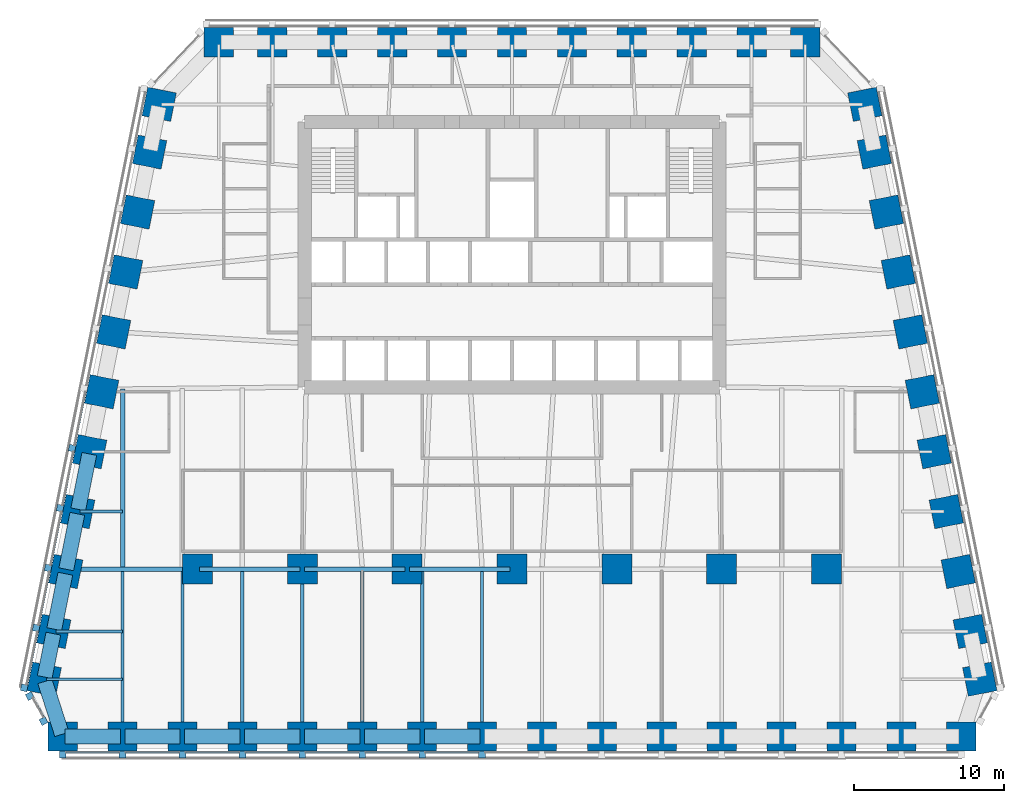
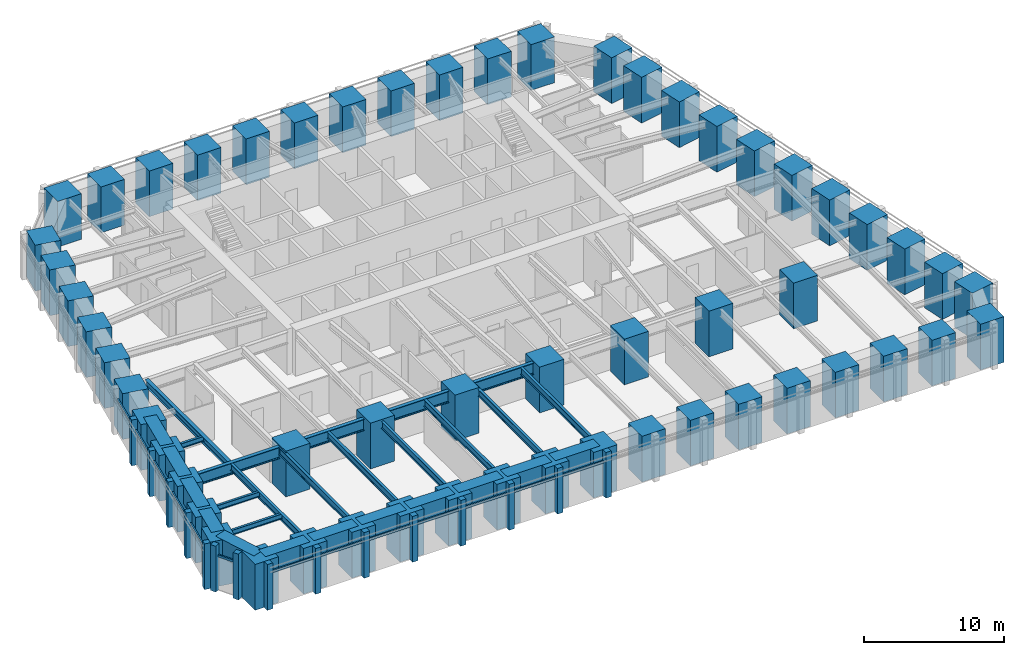
# One storey, part 1 of 10: 56 columns, 28 members, 27 beams, 3 elements without a shape of their own.
"""IFC4 building model written with IfcOpenShell, lengths in metres."""

from ifc_helpers import new_model, si_unit, direction, frame, origin, origin_2d, place, context, subcontext, project, spatial, rectangle, i_section, extrude, material, material_profile, profile_set, type_object, element, aggregate, save


model = new_model("IFC4")

# Units and contexts
model_context = context("Model", 3, precision=1e-05, world=origin(), true_north=direction((0.0, 1.0)))
body_context = subcontext(model_context, "Body", "Model", "MODEL_VIEW")
ifc_project = project(units=[si_unit("LENGTHUNIT", "METRE"), si_unit("AREAUNIT", "SQUARE_METRE"), si_unit("VOLUMEUNIT", "CUBIC_METRE"), si_unit("PLANEANGLEUNIT", "RADIAN"), si_unit("MASSUNIT", "GRAM", prefix="KILO")], contexts=[model_context])

# Site, building, storey
site_placement = place(None, origin())
site = spatial("IfcSite", under=ifc_project, at=site_placement, CompositionType="ELEMENT")
building_placement = place(site_placement, origin())
building = spatial("IfcBuilding", under=site, at=building_placement, Name="Isbrekke Arena Tower", CompositionType="ELEMENT")
storey_placement = place(building_placement, frame((0.0, 0.0, 76.0)))
storey = spatial("IfcBuildingStorey", under=building, at=storey_placement, Name="L16", CompositionType="ELEMENT", Elevation=76.0)

# Columns
ifc_material_1 = material(Name="Concrete B90 (C90/105)", Category="concrete")
ifc_material_profile_1 = material_profile(ifc_material_1, rectangle(XDim=2.0, YDim=2.0, at=origin_2d()), Name="RC 2000x2000")
ifc_profile_set_1 = profile_set([ifc_material_profile_1], Name="Concrete B90 (C90/105)")
column_type_1 = type_object("IfcColumnType", Name="C11 RC 2000 x 2000", PredefinedType="COLUMN", material=ifc_profile_set_1)
for number, where, z_axis, x_axis, name in (
    (1, (-21.0, -6.0, 0.0), (0.0, 0.0, 1.0), (1.0, 0.0, 0.0), "C11 I01"),
    (2, (-14.0, -6.0, 0.0), (0.0, 0.0, 1.0), (1.0, 0.0, 0.0), "C11 I02"),
    (3, (-7.0, -6.0, 0.0), (0.0, 0.0, 1.0), (1.0, 0.0, 0.0), "C11 I03"),
    (4, (0.0, -6.0, 0.0), (0.0, 0.0, 1.0), (1.0, 0.0, 0.0), "C11 I04"),
    (5, (7.0, -6.0, 0.0), (0.0, 0.0, 1.0), (1.0, 0.0, 0.0), "C11 I05"),
    (6, (14.0, -6.0, 0.0), (0.0, 0.0, 1.0), (1.0, 0.0, 0.0), "C11 I06"),
    (7, (21.0, -6.0, 0.0), (0.0, 0.0, 1.0), (1.0, 0.0, 0.0), "C11 I07"),
):
    element("IfcColumn", number, at=place(storey_placement, frame(where, z_axis=z_axis, x_axis=x_axis)), inside=storey, type_object=column_type_1, Name=name, PredefinedType="COLUMN", context=body_context, shape_type="SweptSolid", body=[
        extrude(rectangle(XDim=2.0, YDim=2.0, at=origin_2d()), origin(), (0.0, 0.0, 1.0), 4.0),
    ])
ifc_material_2 = material(Name="Concrete B90 (C90/105)", Category="concrete")
ifc_material_profile_2 = material_profile(ifc_material_2, rectangle(XDim=1.949951171875, YDim=1.949951171875, at=origin_2d()), Name="RC 1950x1950")
ifc_profile_set_2 = profile_set([ifc_material_profile_2], Name="Concrete B90 (C90/105)")
column_type_2 = type_object("IfcColumnType", Name="C2 RC 1950 x 1950", PredefinedType="COLUMN", material=ifc_profile_set_2)
for number, where, z_axis, x_axis, name in (
    (8, (-30.0, -17.175048828125, 0.0), (0.0, 0.0, 1.0), (1.0, 0.0, 0.0), "C2 S01"),
    (9, (-26.0, -17.175048828125, 0.0), (0.0, 0.0, 1.0), (1.0, 0.0, 0.0), "C2 S02"),
    (10, (-22.0, -17.175048828125, 0.0), (0.0, 0.0, 1.0), (1.0, 0.0, 0.0), "C2 S03"),
    (11, (-18.0, -17.175048828125, 0.0), (0.0, 0.0, 1.0), (1.0, 0.0, 0.0), "C2 S04"),
    (12, (-14.0, -17.175048828125, 0.0), (0.0, 0.0, 1.0), (1.0, 0.0, 0.0), "C2 S05"),
    (13, (-10.0, -17.175048828125, 0.0), (0.0, 0.0, 1.0), (1.0, 0.0, 0.0), "C2 S06"),
    (14, (-6.0, -17.175048828125, 0.0), (0.0, 0.0, 1.0), (1.0, 0.0, 0.0), "C2 S07"),
    (15, (-2.0, -17.175048828125, 0.0), (0.0, 0.0, 1.0), (1.0, 0.0, 0.0), "C2 S08"),
    (16, (2.0, -17.175048828125, 0.0), (0.0, 0.0, 1.0), (1.0, 0.0, 0.0), "C2 S09"),
    (17, (6.0, -17.175048828125, 0.0), (0.0, 0.0, 1.0), (1.0, 0.0, 0.0), "C2 S10"),
    (18, (10.0, -17.175048828125, 0.0), (0.0, 0.0, 1.0), (1.0, 0.0, 0.0), "C2 S11"),
    (19, (14.0, -17.175048828125, 0.0), (0.0, 0.0, 1.0), (1.0, 0.0, 0.0), "C2 S12"),
    (20, (18.0, -17.175048828125, 0.0), (0.0, 0.0, 1.0), (1.0, 0.0, 0.0), "C2 S13"),
    (21, (22.0, -17.175048828125, 0.0), (0.0, 0.0, 1.0), (1.0, 0.0, 0.0), "C2 S14"),
    (22, (26.0, -17.175048828125, 0.0), (0.0, 0.0, 1.0), (1.0, 0.0, 0.0), "C2 S15"),
    (23, (30.0, -17.175048828125, 0.0), (0.0, 0.0, 1.0), (1.0, 0.0, 0.0), "C2 S16"),
    (24, (31.229248046875, -13.352783203125, 0.0), (0.0, 0.0, 1.0), (-0.196116135138, 0.980580675691, 0.0), "C2 E01"),
    (25, (30.591064453125, -10.161865234375, 0.0), (0.0, 0.0, 1.0), (-0.196116135138, 0.980580675691, 0.0), "C2 E02"),
    (26, (29.791015625, -6.161865234375, 0.0), (0.0, 0.0, 1.0), (-0.196116135138, 0.980580675691, 0.0), "C2 E03"),
    (27, (28.990966796875, -2.161865234375, 0.0), (0.0, 0.0, 1.0), (-0.196116135138, 0.980580675691, 0.0), "C2 E04"),
    (28, (28.19091796875, 1.838134765625, 0.0), (0.0, 0.0, 1.0), (-0.196116135138, 0.980580675691, 0.0), "C2 E05"),
    (29, (27.39111328125, 5.838134765625, 0.0), (0.0, 0.0, 1.0), (-0.196116135138, 0.980580675691, 0.0), "C2 E06"),
    (30, (26.591064453125, 9.838134765625, 0.0), (0.0, 0.0, 1.0), (-0.196116135138, 0.980580675691, 0.0), "C2 E07"),
    (31, (25.791015625, 13.838134765625, 0.0), (0.0, 0.0, 1.0), (-0.196116135138, 0.980580675691, 0.0), "C2 E08"),
    (32, (24.990966796875, 17.838134765625, 0.0), (0.0, 0.0, 1.0), (-0.196116135138, 0.980580675691, 0.0), "C2 E09"),
    (33, (24.19091796875, 21.838134765625, 0.0), (0.0, 0.0, 1.0), (-0.196116135138, 0.980580675691, 0.0), "C2 E10"),
    (34, (23.552734375, 25.029296875, 0.0), (0.0, 0.0, 1.0), (-0.196116135138, 0.980580675691, 0.0), "C2 E11"),
    (35, (19.574951171875, 29.175048828125, 0.0), (0.0, 0.0, 1.0), (-1.0, 0.0, 0.0), "C2 N01"),
    (36, (16.0, 29.175048828125, 0.0), (0.0, 0.0, 1.0), (-1.0, 0.0, 0.0), "C2 N02"),
    (37, (12.0, 29.175048828125, 0.0), (0.0, 0.0, 1.0), (-1.0, 0.0, 0.0), "C2 N03"),
    (38, (8.0, 29.175048828125, 0.0), (0.0, 0.0, 1.0), (-1.0, 0.0, 0.0), "C2 N04"),
    (39, (4.0, 29.175048828125, 0.0), (0.0, 0.0, 1.0), (-1.0, 0.0, 0.0), "C2 N05"),
    (40, (0.0, 29.175048828125, 0.0), (0.0, 0.0, 1.0), (-1.0, 0.0, 0.0), "C2 N06"),
    (41, (-4.0, 29.175048828125, 0.0), (0.0, 0.0, 1.0), (-1.0, 0.0, 0.0), "C2 N07"),
    (42, (-8.0, 29.175048828125, 0.0), (0.0, 0.0, 1.0), (-1.0, 0.0, 0.0), "C2 N08"),
    (43, (-12.0, 29.175048828125, 0.0), (0.0, 0.0, 1.0), (-1.0, 0.0, 0.0), "C2 N09"),
    (44, (-16.0, 29.175048828125, 0.0), (0.0, 0.0, 1.0), (-1.0, 0.0, 0.0), "C2 N10"),
    (45, (-19.574951171875, 29.175048828125, 0.0), (0.0, 0.0, 1.0), (-1.0, 0.0, 0.0), "C2 N11"),
    (46, (-23.552734375, 25.029296875, 0.0), (0.0, 0.0, 1.0), (-0.196116135138, -0.980580675691, 0.0), "C2 W01"),
    (47, (-24.19091796875, 21.838134765625, 0.0), (0.0, 0.0, 1.0), (-0.196116135138, -0.980580675691, 0.0), "C2 W02"),
    (48, (-24.990966796875, 17.838134765625, 0.0), (0.0, 0.0, 1.0), (-0.196116135138, -0.980580675691, 0.0), "C2 W03"),
    (49, (-25.791015625, 13.838134765625, 0.0), (0.0, 0.0, 1.0), (-0.196116135138, -0.980580675691, 0.0), "C2 W04"),
    (50, (-26.591064453125, 9.838134765625, 0.0), (0.0, 0.0, 1.0), (-0.196116135138, -0.980580675691, 0.0), "C2 W05"),
    (51, (-27.39111328125, 5.838134765625, 0.0), (0.0, 0.0, 1.0), (-0.196116135138, -0.980580675691, 0.0), "C2 W06"),
    (52, (-28.19091796875, 1.838134765625, 0.0), (0.0, 0.0, 1.0), (-0.196116135138, -0.980580675691, 0.0), "C2 W07"),
    (53, (-28.990966796875, -2.161865234375, 0.0), (0.0, 0.0, 1.0), (-0.196116135138, -0.980580675691, 0.0), "C2 W08"),
    (54, (-29.791015625, -6.161865234375, 0.0), (0.0, 0.0, 1.0), (-0.196116135138, -0.980580675691, 0.0), "C2 W09"),
    (55, (-30.591064453125, -10.161865234375, 0.0), (0.0, 0.0, 1.0), (-0.196116135138, -0.980580675691, 0.0), "C2 W10"),
    (56, (-31.229248046875, -13.352783203125, 0.0), (0.0, 0.0, 1.0), (-0.196116135138, -0.980580675691, 0.0), "C2 W11"),
):
    element("IfcColumn", number, at=place(storey_placement, frame(where, z_axis=z_axis, x_axis=x_axis)), inside=storey, type_object=column_type_2, Name=name, PredefinedType="COLUMN", context=body_context, shape_type="SweptSolid", body=[
        extrude(rectangle(XDim=1.949951171875, YDim=1.949951171875, at=origin_2d()), origin(), (0.0, 0.0, 1.0), 4.0),
    ])

# Beams
ifc_material_3 = material(Name="Steel S355", Category="steel")
ifc_material_profile_3 = material_profile(ifc_material_3, i_section(OverallWidth=0.219970703125, OverallDepth=0.60009765625, WebThickness=0.011962890625, FlangeThickness=0.01904296875, FilletRadius=0.02392578125, at=origin_2d()), Name="IPE 600")
ifc_profile_set_3 = profile_set([ifc_material_profile_3], Name="Steel S355")
beam_type_1 = type_object("IfcBeamType", Name="B1 IPE 600", PredefinedType="BEAM", material=ifc_profile_set_3)
for number, where, z_axis, x_axis, name in (
    (57, (-26.0, -17.02490234375, 3.550048828125), (0.0, 1.0, 0.0), (-1.0, 0.0, 0.0), "B1 beam S-S02 L16"),
    (58, (-22.0, -17.02490234375, 3.550048828125), (0.0, 1.0, 0.0), (-1.0, 0.0, 0.0), "B1 beam S-S03 L16"),
    (59, (-18.0, -17.02490234375, 3.550048828125), (0.0, 1.0, 0.0), (-1.0, 0.0, 0.0), "B1 beam S-S04 L16"),
):
    element("IfcBeam", number, at=place(storey_placement, frame(where, z_axis=z_axis, x_axis=x_axis)), inside=storey, type_object=beam_type_1, Name=name, PredefinedType="BEAM", context=body_context, shape_type="SweptSolid", body=[
        extrude(i_section(OverallWidth=0.219970703125, OverallDepth=0.60009765625, WebThickness=0.011962890625, FlangeThickness=0.01904296875, FilletRadius=0.02392578125, at=origin_2d()), origin(), (0.0, 0.0, 1.0), 10.8740234375),
    ])
beam_1_placement = place(storey_placement, frame((-14.0, -17.02490234375, 3.550048828125), z_axis=(0.0, 1.0, 0.0), x_axis=(-1.0, 0.0, 0.0)))
element("IfcBeam", 60, at=beam_1_placement, inside=storey, type_object=beam_type_1, Name="B1 beam S-S05 L16", PredefinedType="BEAM", context=body_context, shape_type="SweptSolid", body=[
    extrude(i_section(OverallWidth=0.219970703125, OverallDepth=0.60009765625, WebThickness=0.011962890625, FlangeThickness=0.01904296875, FilletRadius=0.02392578125, at=origin_2d()), origin(), (0.0, 0.0, 1.0), 10.875),
])
for number, where, z_axis, x_axis, name in (
    (61, (-10.0, -17.02490234375, 3.550048828125), (0.0, 1.0, 0.0), (-1.0, 0.0, 0.0), "B1 beam S-S06 L16"),
    (62, (-6.0, -17.02490234375, 3.550048828125), (0.0, 1.0, 0.0), (-1.0, 0.0, 0.0), "B1 beam S-S07 L16"),
    (63, (-2.0, -17.02490234375, 3.550048828125), (0.0, 1.0, 0.0), (-1.0, 0.0, 0.0), "B1 beam S-S08 L16"),
):
    element("IfcBeam", number, at=place(storey_placement, frame(where, z_axis=z_axis, x_axis=x_axis)), inside=storey, type_object=beam_type_1, Name=name, PredefinedType="BEAM", context=body_context, shape_type="SweptSolid", body=[
        extrude(i_section(OverallWidth=0.219970703125, OverallDepth=0.60009765625, WebThickness=0.011962890625, FlangeThickness=0.01904296875, FilletRadius=0.02392578125, at=origin_2d()), origin(), (0.0, 0.0, 1.0), 10.8740234375),
    ])
ifc_material_4 = material(Name="Steel S355", Category="steel")
ifc_material_profile_4 = material_profile(ifc_material_4, i_section(OverallWidth=0.18994140625, OverallDepth=0.449951171875, WebThickness=0.009521484375, FlangeThickness=0.0146484375, FilletRadius=0.02099609375, at=origin_2d()), Name="IPE 450")
ifc_profile_set_4 = profile_set([ifc_material_profile_4], Name="Steel S355")
beam_type_2 = type_object("IfcBeamType", Name="B2 IPE 450", PredefinedType="BEAM", material=ifc_profile_set_4)
beam_2_placement = place(storey_placement, frame((-28.841064453125, -2.161865234375, 3.625), z_axis=(1.0, 0.0, 0.0), x_axis=(0.0, 1.0, 0.0)))
element("IfcBeam", 64, at=beam_2_placement, inside=storey, type_object=beam_type_2, Name="B2 beam E-W08 L16", PredefinedType="BEAM", context=body_context, shape_type="SweptSolid", body=[
    extrude(i_section(OverallWidth=0.18994140625, OverallDepth=0.449951171875, WebThickness=0.009521484375, FlangeThickness=0.0146484375, FilletRadius=0.02099609375, at=origin_2d()), origin(), (0.0, 0.0, 1.0), 2.841064453125),
])
beam_3_placement = place(storey_placement, frame((-30.44091796875, -10.161865234375, 3.625), z_axis=(1.0, 0.0, 0.0), x_axis=(0.0, 1.0, 0.0)))
element("IfcBeam", 65, at=beam_3_placement, inside=storey, type_object=beam_type_2, Name="B2 beam E-W10 L16", PredefinedType="BEAM", context=body_context, shape_type="SweptSolid", body=[
    extrude(i_section(OverallWidth=0.18994140625, OverallDepth=0.449951171875, WebThickness=0.009521484375, FlangeThickness=0.0146484375, FilletRadius=0.02099609375, at=origin_2d()), origin(), (0.0, 0.0, 1.0), 4.44091796875),
])
beam_4_placement = place(storey_placement, frame((-31.079345703125, -13.352783203125, 3.625), z_axis=(1.0, 0.0, 0.0), x_axis=(0.0, 1.0, 0.0)))
element("IfcBeam", 66, at=beam_4_placement, inside=storey, type_object=beam_type_2, Name="B2 beam E-W11 L16", PredefinedType="BEAM", context=body_context, shape_type="SweptSolid", body=[
    extrude(i_section(OverallWidth=0.18994140625, OverallDepth=0.449951171875, WebThickness=0.009521484375, FlangeThickness=0.0146484375, FilletRadius=0.02099609375, at=origin_2d()), origin(), (0.0, 0.0, 1.0), 5.079345703125),
])
ifc_material_5 = material(Name="Steel S355", Category="steel")
ifc_material_profile_5 = material_profile(ifc_material_5, i_section(OverallWidth=0.300048828125, OverallDepth=0.60009765625, WebThickness=0.015380859375, FlangeThickness=0.030029296875, FilletRadius=0.027099609375, at=origin_2d()), Name="HEB 600")
ifc_profile_set_5 = profile_set([ifc_material_profile_5], Name="Steel S355")
beam_type_3 = type_object("IfcBeamType", Name="B7 HEB 600", PredefinedType="BEAM", material=ifc_profile_set_5)
beam_5_placement = place(storey_placement, frame((-26.0, -5.84912109375, 3.550048828125), z_axis=(0.0, 1.0, 0.0), x_axis=(-1.0, 0.0, 0.0)))
element("IfcBeam", 67, at=beam_5_placement, inside=storey, type_object=beam_type_3, Name="B7 beam C-M01 L16", PredefinedType="BEAM", context=body_context, shape_type="SweptSolid", body=[
    extrude(i_section(OverallWidth=0.300048828125, OverallDepth=0.60009765625, WebThickness=0.015380859375, FlangeThickness=0.030029296875, FilletRadius=0.027099609375, at=origin_2d()), origin(), (0.0, 0.0, 1.0), 11.864990234375),
])

# Curtain wall, members
ifc_material_6 = material(Name="Glazed aluminium curtain wall", Category="aluminium")
curtain_wall_type = type_object("IfcCurtainWallType", Name="CWL TOWER CURTAIN WALL LOW ZONE", PredefinedType="USERDEFINED", material=ifc_material_6)
curtain_wall_1_placement = place(storey_placement, origin())
curtain_wall_1 = element("IfcCurtainWall", 68, at=curtain_wall_1_placement, inside=storey, type_object=curtain_wall_type, Name="CWL curtain wall L16-S", ObjectType="TOWER CURTAIN WALL LOW ZONE", PredefinedType="USERDEFINED")
ifc_material_7 = material(Name="Aluminium mullion, pale brick slip cladding", Category="masonry")
ifc_material_profile_6 = material_profile(ifc_material_7, rectangle(XDim=0.449951171875, YDim=0.449951171875, at=origin_2d()), Name="PIER 450X450")
ifc_profile_set_6 = profile_set([ifc_material_profile_6], Name="Aluminium mullion, pale brick slip cladding")
member_type_1 = type_object("IfcMemberType", Name="CWL-M PIER MULLION 450 x 450", PredefinedType="MULLION", material=ifc_profile_set_6)
member_1_placement = place(storey_placement, frame((-30.0, -18.375, 0.0), z_axis=(0.0, 0.0, 1.0), x_axis=(1.0, 0.0, 0.0)))
member_1 = element("IfcMember", 69, at=member_1_placement, type_object=member_type_1, Name="CWL-M mullion 1", PredefinedType="MULLION", context=body_context, shape_type="SweptSolid", body=[
    extrude(rectangle(XDim=0.449951171875, YDim=0.449951171875, at=origin_2d()), origin(), (0.0, 0.0, 1.0), 4.0),
])
member_2_placement = place(storey_placement, frame((-26.0, -18.375, 0.0), z_axis=(0.0, 0.0, 1.0), x_axis=(1.0, 0.0, 0.0)))
member_2 = element("IfcMember", 70, at=member_2_placement, type_object=member_type_1, Name="CWL-M mullion 2", PredefinedType="MULLION", context=body_context, shape_type="SweptSolid", body=[
    extrude(rectangle(XDim=0.449951171875, YDim=0.449951171875, at=origin_2d()), origin(), (0.0, 0.0, 1.0), 4.0),
])
member_3_placement = place(storey_placement, frame((-22.0, -18.375, 0.0), z_axis=(0.0, 0.0, 1.0), x_axis=(1.0, 0.0, 0.0)))
member_3 = element("IfcMember", 71, at=member_3_placement, type_object=member_type_1, Name="CWL-M mullion 3", PredefinedType="MULLION", context=body_context, shape_type="SweptSolid", body=[
    extrude(rectangle(XDim=0.449951171875, YDim=0.449951171875, at=origin_2d()), origin(), (0.0, 0.0, 1.0), 4.0),
])
member_4_placement = place(storey_placement, frame((-18.0, -18.375, 0.0), z_axis=(0.0, 0.0, 1.0), x_axis=(1.0, 0.0, 0.0)))
member_4 = element("IfcMember", 72, at=member_4_placement, type_object=member_type_1, Name="CWL-M mullion 4", PredefinedType="MULLION", context=body_context, shape_type="SweptSolid", body=[
    extrude(rectangle(XDim=0.449951171875, YDim=0.449951171875, at=origin_2d()), origin(), (0.0, 0.0, 1.0), 4.0),
])
member_5_placement = place(storey_placement, frame((-14.0, -18.375, 0.0), z_axis=(0.0, 0.0, 1.0), x_axis=(1.0, 0.0, 0.0)))
member_5 = element("IfcMember", 73, at=member_5_placement, type_object=member_type_1, Name="CWL-M mullion 5", PredefinedType="MULLION", context=body_context, shape_type="SweptSolid", body=[
    extrude(rectangle(XDim=0.449951171875, YDim=0.449951171875, at=origin_2d()), origin(), (0.0, 0.0, 1.0), 4.0),
])
member_6_placement = place(storey_placement, frame((-10.0, -18.375, 0.0), z_axis=(0.0, 0.0, 1.0), x_axis=(1.0, 0.0, 0.0)))
member_6 = element("IfcMember", 74, at=member_6_placement, type_object=member_type_1, Name="CWL-M mullion 6", PredefinedType="MULLION", context=body_context, shape_type="SweptSolid", body=[
    extrude(rectangle(XDim=0.449951171875, YDim=0.449951171875, at=origin_2d()), origin(), (0.0, 0.0, 1.0), 4.0),
])
member_7_placement = place(storey_placement, frame((-6.0, -18.375, 0.0), z_axis=(0.0, 0.0, 1.0), x_axis=(1.0, 0.0, 0.0)))
member_7 = element("IfcMember", 75, at=member_7_placement, type_object=member_type_1, Name="CWL-M mullion 7", PredefinedType="MULLION", context=body_context, shape_type="SweptSolid", body=[
    extrude(rectangle(XDim=0.449951171875, YDim=0.449951171875, at=origin_2d()), origin(), (0.0, 0.0, 1.0), 4.0),
])
member_8_placement = place(storey_placement, frame((-2.0, -18.375, 0.0), z_axis=(0.0, 0.0, 1.0), x_axis=(1.0, 0.0, 0.0)))
member_8 = element("IfcMember", 76, at=member_8_placement, type_object=member_type_1, Name="CWL-M mullion 8", PredefinedType="MULLION", context=body_context, shape_type="SweptSolid", body=[
    extrude(rectangle(XDim=0.449951171875, YDim=0.449951171875, at=origin_2d()), origin(), (0.0, 0.0, 1.0), 4.0),
])

curtain_wall_2_placement = place(storey_placement, origin())
curtain_wall_2 = element("IfcCurtainWall", 77, at=curtain_wall_2_placement, inside=storey, type_object=curtain_wall_type, Name="CWL curtain wall L16-W", ObjectType="TOWER CURTAIN WALL LOW ZONE", PredefinedType="USERDEFINED")
member_9_placement = place(storey_placement, frame((-29.36767578125, 2.073486328125, 0.0), z_axis=(0.0, 0.0, 1.0), x_axis=(-0.196116135138, -0.980580675691, 0.0)))
member_9 = element("IfcMember", 78, at=member_9_placement, type_object=member_type_1, Name="CWL-M mullion 7", PredefinedType="MULLION", context=body_context, shape_type="SweptSolid", body=[
    extrude(rectangle(XDim=0.449951171875, YDim=0.449951171875, at=origin_2d()), origin(), (0.0, 0.0, 1.0), 4.0),
])
member_10_placement = place(storey_placement, frame((-30.167724609375, -1.926513671875, 0.0), z_axis=(0.0, 0.0, 1.0), x_axis=(-0.196116135138, -0.980580675691, 0.0)))
member_10 = element("IfcMember", 79, at=member_10_placement, type_object=member_type_1, Name="CWL-M mullion 8", PredefinedType="MULLION", context=body_context, shape_type="SweptSolid", body=[
    extrude(rectangle(XDim=0.449951171875, YDim=0.449951171875, at=origin_2d()), origin(), (0.0, 0.0, 1.0), 4.0),
])
member_11_placement = place(storey_placement, frame((-30.9677734375, -5.926513671875, 0.0), z_axis=(0.0, 0.0, 1.0), x_axis=(-0.196116135138, -0.980580675691, 0.0)))
member_11 = element("IfcMember", 80, at=member_11_placement, type_object=member_type_1, Name="CWL-M mullion 9", PredefinedType="MULLION", context=body_context, shape_type="SweptSolid", body=[
    extrude(rectangle(XDim=0.449951171875, YDim=0.449951171875, at=origin_2d()), origin(), (0.0, 0.0, 1.0), 4.0),
])
member_12_placement = place(storey_placement, frame((-31.767822265625, -9.926513671875, 0.0), z_axis=(0.0, 0.0, 1.0), x_axis=(-0.196116135138, -0.980580675691, 0.0)))
member_12 = element("IfcMember", 81, at=member_12_placement, type_object=member_type_1, Name="CWL-M mullion 10", PredefinedType="MULLION", context=body_context, shape_type="SweptSolid", body=[
    extrude(rectangle(XDim=0.449951171875, YDim=0.449951171875, at=origin_2d()), origin(), (0.0, 0.0, 1.0), 4.0),
])
member_13_placement = place(storey_placement, frame((-32.567626953125, -13.926513671875, 0.0), z_axis=(0.0, 0.0, 1.0), x_axis=(-0.196116135138, -0.980580675691, 0.0)))
member_13 = element("IfcMember", 82, at=member_13_placement, type_object=member_type_1, Name="CWL-M mullion 11", PredefinedType="MULLION", context=body_context, shape_type="SweptSolid", body=[
    extrude(rectangle(XDim=0.449951171875, YDim=0.449951171875, at=origin_2d()), origin(), (0.0, 0.0, 1.0), 4.0),
])

curtain_wall_3_placement = place(storey_placement, origin())
curtain_wall_3 = element("IfcCurtainWall", 83, at=curtain_wall_3_placement, inside=storey, type_object=curtain_wall_type, Name="CWL curtain wall L16-WS", ObjectType="TOWER CURTAIN WALL LOW ZONE", PredefinedType="USERDEFINED")
member_14_placement = place(storey_placement, frame((-32.19580078125, -14.474609375, 0.0), z_axis=(0.0, 0.0, 1.0), x_axis=(0.481918749773, -0.876215908676, 0.0)))
member_14 = element("IfcMember", 84, at=member_14_placement, type_object=member_type_1, Name="CWL-M mullion 1", PredefinedType="MULLION", context=body_context, shape_type="SweptSolid", body=[
    extrude(rectangle(XDim=0.449951171875, YDim=0.449951171875, at=origin_2d()), origin(), (0.0, 0.0, 1.0), 4.0),
])
member_15_placement = place(storey_placement, frame((-31.277587890625, -16.14404296875, 0.0), z_axis=(0.0, 0.0, 1.0), x_axis=(0.481918749773, -0.876215908676, 0.0)))
member_15 = element("IfcMember", 85, at=member_15_placement, type_object=member_type_1, Name="CWL-M mullion 2", PredefinedType="MULLION", context=body_context, shape_type="SweptSolid", body=[
    extrude(rectangle(XDim=0.449951171875, YDim=0.449951171875, at=origin_2d()), origin(), (0.0, 0.0, 1.0), 4.0),
])

# Member
ifc_material_8 = material(Name="Aluminium transom", Category="aluminium")
ifc_material_profile_7 = material_profile(ifc_material_8, rectangle(XDim=0.1201171875, YDim=0.199951171875, at=origin_2d()), Name="TRANSOM 120X200")
ifc_profile_set_7 = profile_set([ifc_material_profile_7], Name="Aluminium transom")
member_type_2 = type_object("IfcMemberType", Name="CWL-T TRANSOM 120 x 200", PredefinedType="USERDEFINED", material=ifc_profile_set_7)
member_16_placement = place(storey_placement, frame((-29.77490234375, -18.25, 3.0), z_axis=(1.0, 0.0, 0.0), x_axis=(0.0, 1.0, 0.0)))
member_16 = element("IfcMember", 86, at=member_16_placement, type_object=member_type_2, Name="CWL-T transom 1", ObjectType="TRANSOM", PredefinedType="USERDEFINED", context=body_context, shape_type="SweptSolid", body=[
    extrude(rectangle(XDim=0.1201171875, YDim=0.199951171875, at=origin_2d()), origin(), (0.0, 0.0, 1.0), 3.5498046875),
])

member_17_placement = place(storey_placement, frame((-25.77490234375, -18.25, 3.0), z_axis=(1.0, 0.0, 0.0), x_axis=(0.0, 1.0, 0.0)))
member_17 = element("IfcMember", 87, at=member_17_placement, type_object=member_type_2, Name="CWL-T transom 2", ObjectType="TRANSOM", PredefinedType="USERDEFINED", context=body_context, shape_type="SweptSolid", body=[
    extrude(rectangle(XDim=0.1201171875, YDim=0.199951171875, at=origin_2d()), origin(), (0.0, 0.0, 1.0), 3.5498046875),
])

member_18_placement = place(storey_placement, frame((-21.77490234375, -18.25, 3.0), z_axis=(1.0, 0.0, 0.0), x_axis=(0.0, 1.0, 0.0)))
member_18 = element("IfcMember", 88, at=member_18_placement, type_object=member_type_2, Name="CWL-T transom 3", ObjectType="TRANSOM", PredefinedType="USERDEFINED", context=body_context, shape_type="SweptSolid", body=[
    extrude(rectangle(XDim=0.1201171875, YDim=0.199951171875, at=origin_2d()), origin(), (0.0, 0.0, 1.0), 3.5498046875),
])

member_19_placement = place(storey_placement, frame((-17.77490234375, -18.25, 3.0), z_axis=(1.0, 0.0, 0.0), x_axis=(0.0, 1.0, 0.0)))
member_19 = element("IfcMember", 89, at=member_19_placement, type_object=member_type_2, Name="CWL-T transom 4", ObjectType="TRANSOM", PredefinedType="USERDEFINED", context=body_context, shape_type="SweptSolid", body=[
    extrude(rectangle(XDim=0.1201171875, YDim=0.199951171875, at=origin_2d()), origin(), (0.0, 0.0, 1.0), 3.5498046875),
])

member_20_placement = place(storey_placement, frame((-13.77490234375, -18.25, 3.0), z_axis=(1.0, 0.0, 0.0), x_axis=(0.0, 1.0, 0.0)))
member_20 = element("IfcMember", 90, at=member_20_placement, type_object=member_type_2, Name="CWL-T transom 5", ObjectType="TRANSOM", PredefinedType="USERDEFINED", context=body_context, shape_type="SweptSolid", body=[
    extrude(rectangle(XDim=0.1201171875, YDim=0.199951171875, at=origin_2d()), origin(), (0.0, 0.0, 1.0), 3.5498046875),
])

member_21_placement = place(storey_placement, frame((-9.77490234375, -18.25, 3.0), z_axis=(1.0, 0.0, 0.0), x_axis=(0.0, 1.0, 0.0)))
member_21 = element("IfcMember", 91, at=member_21_placement, type_object=member_type_2, Name="CWL-T transom 6", ObjectType="TRANSOM", PredefinedType="USERDEFINED", context=body_context, shape_type="SweptSolid", body=[
    extrude(rectangle(XDim=0.1201171875, YDim=0.199951171875, at=origin_2d()), origin(), (0.0, 0.0, 1.0), 3.5498046875),
])

member_22_placement = place(storey_placement, frame((-5.77490234375, -18.25, 3.0), z_axis=(1.0, 0.0, 0.0), x_axis=(0.0, 1.0, 0.0)))
member_22 = element("IfcMember", 92, at=member_22_placement, type_object=member_type_2, Name="CWL-T transom 7", ObjectType="TRANSOM", PredefinedType="USERDEFINED", context=body_context, shape_type="SweptSolid", body=[
    extrude(rectangle(XDim=0.1201171875, YDim=0.199951171875, at=origin_2d()), origin(), (0.0, 0.0, 1.0), 3.5498046875),
])

aggregate(curtain_wall_1, [member_1, member_2, member_3, member_4, member_5, member_6, member_7, member_8, member_16, member_17, member_18, member_19, member_20, member_21, member_22])

member_23_placement = place(storey_placement, frame((-28.4892578125, 5.828369140625, 3.0), z_axis=(-0.196103197847, -0.98058326306, 0.0), x_axis=(0.98058326306, -0.196103197847, 0.0)))
member_23 = element("IfcMember", 93, at=member_23_placement, type_object=member_type_2, Name="CWL-T transom 6", ObjectType="TRANSOM", PredefinedType="USERDEFINED", context=body_context, shape_type="SweptSolid", body=[
    extrude(rectangle(XDim=0.1201171875, YDim=0.199951171875, at=origin_2d()), origin(), (0.0, 0.0, 1.0), 3.629150390625),
])

member_24_placement = place(storey_placement, frame((-29.289306640625, 1.828369140625, 3.0), z_axis=(-0.196103197847, -0.98058326306, 0.0), x_axis=(0.98058326306, -0.196103197847, 0.0)))
member_24 = element("IfcMember", 94, at=member_24_placement, type_object=member_type_2, Name="CWL-T transom 7", ObjectType="TRANSOM", PredefinedType="USERDEFINED", context=body_context, shape_type="SweptSolid", body=[
    extrude(rectangle(XDim=0.1201171875, YDim=0.199951171875, at=origin_2d()), origin(), (0.0, 0.0, 1.0), 3.629150390625),
])

member_25_placement = place(storey_placement, frame((-30.08935546875, -2.171630859375, 3.0), z_axis=(-0.196103197847, -0.98058326306, 0.0), x_axis=(0.98058326306, -0.196103197847, 0.0)))
member_25 = element("IfcMember", 95, at=member_25_placement, type_object=member_type_2, Name="CWL-T transom 8", ObjectType="TRANSOM", PredefinedType="USERDEFINED", context=body_context, shape_type="SweptSolid", body=[
    extrude(rectangle(XDim=0.1201171875, YDim=0.199951171875, at=origin_2d()), origin(), (0.0, 0.0, 1.0), 3.629150390625),
])

member_26_placement = place(storey_placement, frame((-30.88916015625, -6.171630859375, 3.0), z_axis=(-0.196167883278, -0.980570324643, 0.0), x_axis=(0.980570324643, -0.196167883278, 0.0)))
member_26 = element("IfcMember", 96, at=member_26_placement, type_object=member_type_2, Name="CWL-T transom 9", ObjectType="TRANSOM", PredefinedType="USERDEFINED", context=body_context, shape_type="SweptSolid", body=[
    extrude(rectangle(XDim=0.1201171875, YDim=0.199951171875, at=origin_2d()), origin(), (0.0, 0.0, 1.0), 3.629150390625),
])

member_27_placement = place(storey_placement, frame((-31.689208984375, -10.171630859375, 3.0), z_axis=(-0.196167883278, -0.980570324643, 0.0), x_axis=(0.980570324643, -0.196167883278, 0.0)))
member_27 = element("IfcMember", 97, at=member_27_placement, type_object=member_type_2, Name="CWL-T transom 10", ObjectType="TRANSOM", PredefinedType="USERDEFINED", context=body_context, shape_type="SweptSolid", body=[
    extrude(rectangle(XDim=0.1201171875, YDim=0.199951171875, at=origin_2d()), origin(), (0.0, 0.0, 1.0), 3.629150390625),
])

aggregate(curtain_wall_2, [member_9, member_10, member_11, member_12, member_13, member_23, member_24, member_25, member_26, member_27])

member_28_placement = place(storey_placement, frame((-31.977783203125, -14.611572265625, 3.0), z_axis=(0.481905867223, -0.876222993955, 0.0), x_axis=(0.876222993955, 0.481905867223, 0.0)))
member_28 = element("IfcMember", 98, at=member_28_placement, type_object=member_type_2, Name="CWL-T transom 1", ObjectType="TRANSOM", PredefinedType="USERDEFINED", context=body_context, shape_type="SweptSolid", body=[
    extrude(rectangle(XDim=0.1201171875, YDim=0.199951171875, at=origin_2d()), origin(), (0.0, 0.0, 1.0), 1.455078125),
])

aggregate(curtain_wall_3, [member_14, member_15, member_28])

# Beams
ifc_material_9 = material(Name="Steel S355", Category="steel")
ifc_material_profile_8 = material_profile(ifc_material_9, i_section(OverallWidth=0.302001953125, OverallDepth=1.008056640625, WebThickness=0.02099609375, FlangeThickness=0.0400390625, FilletRadius=0.030029296875, at=origin_2d()), Name="HEM 1000")
ifc_profile_set_8 = profile_set([ifc_material_profile_8], Name="Steel S355")
beam_type_4 = type_object("IfcBeamType", Name="G1 HEM 1000", PredefinedType="BEAM", material=ifc_profile_set_8)
beam_6_placement = place(storey_placement, frame((-29.791015625, -6.0, 3.345947265625), z_axis=(1.0, 0.0, 0.0), x_axis=(0.0, 1.0, 0.0)))
element("IfcBeam", 99, at=beam_6_placement, inside=storey, type_object=beam_type_4, Name="G1 beam G1-01 L16", PredefinedType="BEAM", context=body_context, shape_type="SweptSolid", body=[
    extrude(i_section(OverallWidth=0.302001953125, OverallDepth=1.008056640625, WebThickness=0.02099609375, FlangeThickness=0.0400390625, FilletRadius=0.030029296875, at=origin_2d()), origin(), (0.0, 0.0, 1.0), 8.64111328125),
])
for number, where, z_axis, x_axis, name in (
    (100, (-20.85009765625, -6.0, 3.345947265625), (1.0, 0.0, 0.0), (0.0, 1.0, 0.0), "G1 beam G1-02 L16"),
    (101, (-13.85009765625, -6.0, 3.345947265625), (1.0, 0.0, 0.0), (0.0, 1.0, 0.0), "G1 beam G1-03 L16"),
    (102, (-6.85009765625, -6.0, 3.345947265625), (1.0, 0.0, 0.0), (0.0, 1.0, 0.0), "G1 beam G1-04 L16"),
):
    element("IfcBeam", number, at=place(storey_placement, frame(where, z_axis=z_axis, x_axis=x_axis)), inside=storey, type_object=beam_type_4, Name=name, PredefinedType="BEAM", context=body_context, shape_type="SweptSolid", body=[
        extrude(i_section(OverallWidth=0.302001953125, OverallDepth=1.008056640625, WebThickness=0.02099609375, FlangeThickness=0.0400390625, FilletRadius=0.030029296875, at=origin_2d()), origin(), (0.0, 0.0, 1.0), 6.7001953125),
    ])
ifc_material_10 = material(Name="Concrete B90 (C90/105)", Category="concrete")
ifc_material_profile_9 = material_profile(ifc_material_10, rectangle(XDim=1.0, YDim=1.60009765625, at=origin_2d()), Name="RC 1000x1600")
ifc_profile_set_9 = profile_set([ifc_material_profile_9], Name="Concrete B90 (C90/105)")
beam_type_5 = type_object("IfcBeamType", Name="SB1 RC 1000 x 1600", PredefinedType="SPANDREL", material=ifc_profile_set_9)
for number, where, z_axis, x_axis, name in (
    (103, (-29.85009765625, -17.175048828125, 3.199951171875), (1.0, 0.0, 0.0), (0.0, 1.0, 0.0), "SB1 spandrel S01-S02 L16"),
    (104, (-25.85009765625, -17.175048828125, 3.199951171875), (1.0, 0.0, 0.0), (0.0, 1.0, 0.0), "SB1 spandrel S02-S03 L16"),
    (105, (-21.85009765625, -17.175048828125, 3.199951171875), (1.0, 0.0, 0.0), (0.0, 1.0, 0.0), "SB1 spandrel S03-S04 L16"),
    (106, (-17.85009765625, -17.175048828125, 3.199951171875), (1.0, 0.0, 0.0), (0.0, 1.0, 0.0), "SB1 spandrel S04-S05 L16"),
    (107, (-13.85009765625, -17.175048828125, 3.199951171875), (1.0, 0.0, 0.0), (0.0, 1.0, 0.0), "SB1 spandrel S05-S06 L16"),
    (108, (-9.85009765625, -17.175048828125, 3.199951171875), (1.0, 0.0, 0.0), (0.0, 1.0, 0.0), "SB1 spandrel S06-S07 L16"),
    (109, (-5.85009765625, -17.175048828125, 3.199951171875), (1.0, 0.0, 0.0), (0.0, 1.0, 0.0), "SB1 spandrel S07-S08 L16"),
):
    element("IfcBeam", number, at=place(storey_placement, frame(where, z_axis=z_axis, x_axis=x_axis)), inside=storey, type_object=beam_type_5, Name=name, PredefinedType="SPANDREL", context=body_context, shape_type="SweptSolid", body=[
        extrude(rectangle(XDim=1.0, YDim=1.60009765625, at=origin_2d()), origin(), (0.0, 0.0, 1.0), 3.7001953125),
    ])
for number, where, z_axis, x_axis, name in (
    (110, (-28.220458984375, 1.691162109375, 3.199951171875), (-0.196128558387, -0.980578190959, 0.0), (0.980578190959, -0.196128558387, 0.0), "SB1 spandrel W07-W08 L16"),
    (111, (-29.0205078125, -2.308837890625, 3.199951171875), (-0.196128558387, -0.980578190959, 0.0), (0.980578190959, -0.196128558387, 0.0), "SB1 spandrel W08-W09 L16"),
):
    element("IfcBeam", number, at=place(storey_placement, frame(where, z_axis=z_axis, x_axis=x_axis)), inside=storey, type_object=beam_type_5, Name=name, PredefinedType="SPANDREL", context=body_context, shape_type="SweptSolid", body=[
        extrude(rectangle(XDim=1.0, YDim=1.60009765625, at=origin_2d()), origin(), (0.0, 0.0, 1.0), 3.779296875),
    ])
beam_7_placement = place(storey_placement, frame((-29.820556640625, -6.308837890625, 3.199951171875), z_axis=(-0.1960664412, -0.980590613169, 0.0), x_axis=(0.980590613169, -0.1960664412, 0.0)))
element("IfcBeam", 112, at=beam_7_placement, inside=storey, type_object=beam_type_5, Name="SB1 spandrel W09-W10 L16", PredefinedType="SPANDREL", context=body_context, shape_type="SweptSolid", body=[
    extrude(rectangle(XDim=1.0, YDim=1.60009765625, at=origin_2d()), origin(), (0.0, 0.0, 1.0), 3.779052734375),
])
beam_8_placement = place(storey_placement, frame((-30.620361328125, -10.308837890625, 3.199951171875), z_axis=(-0.196100243168, -0.980583853951, 0.0), x_axis=(0.980583853951, -0.196100243168, 0.0)))
element("IfcBeam", 113, at=beam_8_placement, inside=storey, type_object=beam_type_5, Name="SB1 spandrel W10-W11 L16", PredefinedType="SPANDREL", context=body_context, shape_type="SweptSolid", body=[
    extrude(rectangle(XDim=1.0, YDim=1.60009765625, at=origin_2d()), origin(), (0.0, 0.0, 1.0), 2.954345703125),
])
beam_9_placement = place(storey_placement, frame((-31.183349609375, -13.49560546875, 3.199951171875), z_axis=(0.306175101476, -0.951975213562, 0.0), x_axis=(0.951975213562, 0.306175101476, 0.0)))
element("IfcBeam", 114, at=beam_9_placement, inside=storey, type_object=beam_type_5, Name="SB1 spandrel W11-S01 L16", PredefinedType="SPANDREL", context=body_context, shape_type="SweptSolid", body=[
    extrude(rectangle(XDim=1.0, YDim=1.60009765625, at=origin_2d()), origin(), (0.0, 0.0, 1.0), 3.715087890625),
])

save(model, "model.ifc")
